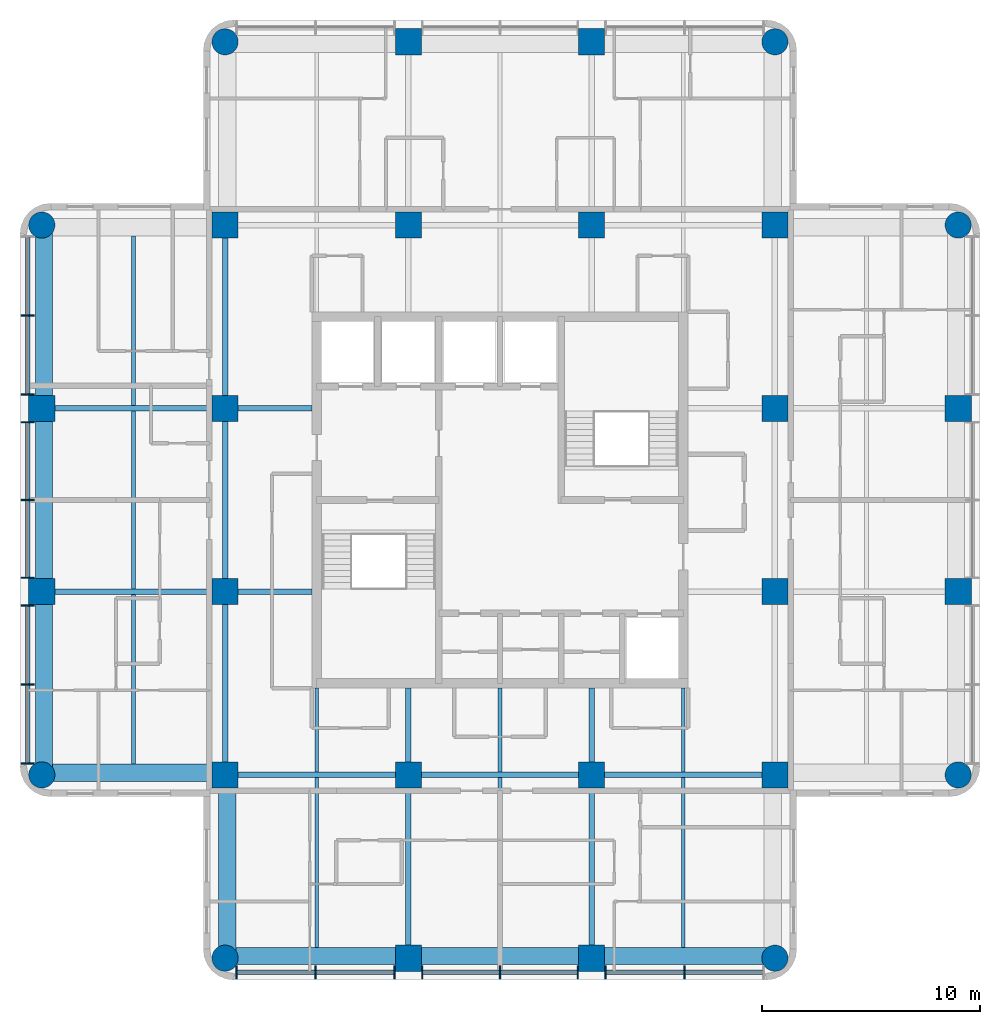
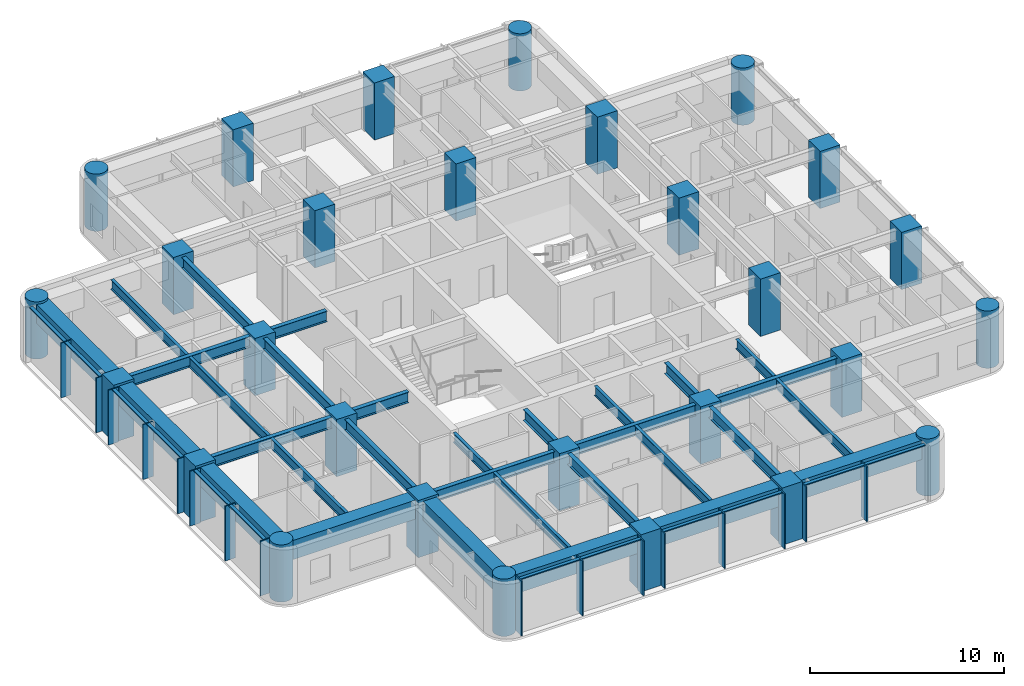
# One storey, part 1 of 10: 31 beams, 28 columns, 28 members, 2 elements without a shape of their own.
"""IFC4 building model written with IfcOpenShell, lengths in metres."""

from ifc_helpers import new_model, si_unit, direction, frame, origin, origin_2d, place, context, subcontext, project, spatial, rectangle, circle, i_section, extrude, material, material_profile, profile_set, type_object, element, aggregate, save


model = new_model("IFC4")

# Units and contexts
model_context = context("Model", 3, precision=1e-05, world=origin(), true_north=direction((0.0, 1.0)))
body_context = subcontext(model_context, "Body", "Model", "MODEL_VIEW")
ifc_project = project(units=[si_unit("LENGTHUNIT", "METRE"), si_unit("AREAUNIT", "SQUARE_METRE"), si_unit("VOLUMEUNIT", "CUBIC_METRE"), si_unit("PLANEANGLEUNIT", "RADIAN"), si_unit("MASSUNIT", "GRAM", prefix="KILO")], contexts=[model_context])

# Site, building, storey
site_placement = place(None, origin())
site = spatial("IfcSite", under=ifc_project, at=site_placement, CompositionType="ELEMENT")
building_placement = place(site_placement, origin())
building = spatial("IfcBuilding", under=site, at=building_placement, Name="Torre Alcanfor", CompositionType="ELEMENT")
storey_placement = place(building_placement, frame((0.0, 0.0, 290.10009765625)))
storey = spatial("IfcBuildingStorey", under=building, at=storey_placement, Name="L76", CompositionType="ELEMENT", Elevation=290.10009765625)

# Columns
ifc_material_1 = material(Name="Concrete f'c 70 MPa", Category="concrete")
ifc_material_profile_1 = material_profile(ifc_material_1, rectangle(XDim=1.199951171875, YDim=1.199951171875, at=origin_2d()), Name="1200x1200")
ifc_profile_set_1 = profile_set([ifc_material_profile_1], Name="Concrete f'c 70 MPa")
column_type_1 = type_object("IfcColumnType", Name="RC column 1200x1200 f'c70", PredefinedType="COLUMN", material=ifc_profile_set_1)
for number, where, z_axis, x_axis, name in (
    (1, (8.39990234375, 25.199951171875, 0.0), (0.0, 0.0, 1.0), (1.0, 0.0, 0.0), "Column 2/F L76"),
    (2, (8.39990234375, 33.60009765625, 0.0), (0.0, 0.0, 1.0), (1.0, 0.0, 0.0), "Column 2/G L76"),
    (3, (16.800048828125, 16.800048828125, 0.0), (0.0, 0.0, 1.0), (1.0, 0.0, 0.0), "Column 3/E L76"),
    (4, (16.800048828125, 25.199951171875, 0.0), (0.0, 0.0, 1.0), (1.0, 0.0, 0.0), "Column 3/F L76"),
    (5, (16.800048828125, 33.60009765625, 0.0), (0.0, 0.0, 1.0), (1.0, 0.0, 0.0), "Column 3/G L76"),
    (6, (16.800048828125, 42.0, 0.0), (0.0, 0.0, 1.0), (1.0, 0.0, 0.0), "Column 3/H L76"),
    (7, (25.199951171875, 8.39990234375, 0.0), (0.0, 0.0, 1.0), (1.0, 0.0, 0.0), "Column 4/D L76"),
    (8, (25.199951171875, 16.800048828125, 0.0), (0.0, 0.0, 1.0), (1.0, 0.0, 0.0), "Column 4/E L76"),
    (9, (25.199951171875, 42.0, 0.0), (0.0, 0.0, 1.0), (1.0, 0.0, 0.0), "Column 4/H L76"),
    (10, (25.199951171875, 50.39990234375, 0.0), (0.0, 0.0, 1.0), (1.0, 0.0, 0.0), "Column 4/J L76"),
    (11, (33.60009765625, 8.39990234375, 0.0), (0.0, 0.0, 1.0), (1.0, 0.0, 0.0), "Column 5/D L76"),
    (12, (33.60009765625, 16.800048828125, 0.0), (0.0, 0.0, 1.0), (1.0, 0.0, 0.0), "Column 5/E L76"),
    (13, (33.60009765625, 42.0, 0.0), (0.0, 0.0, 1.0), (1.0, 0.0, 0.0), "Column 5/H L76"),
    (14, (33.60009765625, 50.39990234375, 0.0), (0.0, 0.0, 1.0), (1.0, 0.0, 0.0), "Column 5/J L76"),
    (15, (42.0, 16.800048828125, 0.0), (0.0, 0.0, 1.0), (1.0, 0.0, 0.0), "Column 6/E L76"),
    (16, (42.0, 25.199951171875, 0.0), (0.0, 0.0, 1.0), (1.0, 0.0, 0.0), "Column 6/F L76"),
    (17, (42.0, 33.60009765625, 0.0), (0.0, 0.0, 1.0), (1.0, 0.0, 0.0), "Column 6/G L76"),
    (18, (42.0, 42.0, 0.0), (0.0, 0.0, 1.0), (1.0, 0.0, 0.0), "Column 6/H L76"),
    (19, (50.39990234375, 25.199951171875, 0.0), (0.0, 0.0, 1.0), (1.0, 0.0, 0.0), "Column 7/F L76"),
    (20, (50.39990234375, 33.60009765625, 0.0), (0.0, 0.0, 1.0), (1.0, 0.0, 0.0), "Column 7/G L76"),
):
    element("IfcColumn", number, at=place(storey_placement, frame(where, z_axis=z_axis, x_axis=x_axis)), inside=storey, type_object=column_type_1, Name=name, PredefinedType="COLUMN", context=body_context, shape_type="SweptSolid", body=[
        extrude(rectangle(XDim=1.199951171875, YDim=1.199951171875, at=origin_2d()), origin(), (0.0, 0.0, 1.0), 3.599853515625),
    ])
ifc_material_2 = material(Name="Concrete f'c 70 MPa", Category="concrete")
ifc_material_profile_2 = material_profile(ifc_material_2, circle(Radius=0.60009765625, at=origin_2d()), Name="D1200")
ifc_profile_set_2 = profile_set([ifc_material_profile_2], Name="Concrete f'c 70 MPa")
column_type_2 = type_object("IfcColumnType", Name="RC column D1200 f'c70", PredefinedType="COLUMN", material=ifc_profile_set_2)
for number, where, z_axis, x_axis, name in (
    (21, (8.39990234375, 16.800048828125, 0.0), (0.0, 0.0, 1.0), (1.0, 0.0, 0.0), "Column 2/E L76"),
    (22, (8.39990234375, 42.0, 0.0), (0.0, 0.0, 1.0), (1.0, 0.0, 0.0), "Column 2/H L76"),
    (23, (16.800048828125, 8.39990234375, 0.0), (0.0, 0.0, 1.0), (1.0, 0.0, 0.0), "Column 3/D L76"),
    (24, (16.800048828125, 50.39990234375, 0.0), (0.0, 0.0, 1.0), (1.0, 0.0, 0.0), "Column 3/J L76"),
    (25, (42.0, 8.39990234375, 0.0), (0.0, 0.0, 1.0), (1.0, 0.0, 0.0), "Column 6/D L76"),
    (26, (42.0, 50.39990234375, 0.0), (0.0, 0.0, 1.0), (1.0, 0.0, 0.0), "Column 6/J L76"),
    (27, (50.39990234375, 16.800048828125, 0.0), (0.0, 0.0, 1.0), (1.0, 0.0, 0.0), "Column 7/E L76"),
    (28, (50.39990234375, 42.0, 0.0), (0.0, 0.0, 1.0), (1.0, 0.0, 0.0), "Column 7/H L76"),
):
    element("IfcColumn", number, at=place(storey_placement, frame(where, z_axis=z_axis, x_axis=x_axis)), inside=storey, type_object=column_type_2, Name=name, PredefinedType="COLUMN", context=body_context, shape_type="SweptSolid", body=[
        extrude(circle(Radius=0.60009765625, at=origin_2d()), origin(), (0.0, 0.0, 1.0), 3.599853515625),
    ])

# Curtain wall, members
ifc_material_3 = material(Name="Aluminium and glass", Category="aluminium")
curtain_wall_type = type_object("IfcCurtainWallType", Name="CW-A unitised apartment glazing with vertical FIN", PredefinedType="NOTDEFINED", material=ifc_material_3)
curtain_wall_1_placement = place(storey_placement, origin())
curtain_wall_1 = element("IfcCurtainWall", 29, at=curtain_wall_1_placement, inside=storey, type_object=curtain_wall_type, Name="Curtain wall CW-A L76 2", PredefinedType="NOTDEFINED")
ifc_material_4 = material(Name="Bronze anodised aluminium", Category="aluminium")
ifc_material_profile_3 = material_profile(ifc_material_4, rectangle(XDim=0.60009765625, YDim=0.06494140625, at=origin_2d()), Name="CW-A mullion 65x600")
ifc_profile_set_3 = profile_set([ifc_material_profile_3], Name="Bronze anodised aluminium")
member_type_1 = type_object("IfcMemberType", Name="CW-A mullion with vertical FIN 65x600", PredefinedType="MULLION", material=ifc_profile_set_3)
member_1_placement = place(storey_placement, frame((7.75, 37.855712890625, 0.0), z_axis=(0.0, 0.0, 1.0), x_axis=(1.0, 0.0, 0.0)))
member_1 = element("IfcMember", 30, at=member_1_placement, type_object=member_type_1, Name="CW-A mullion 1.2", PredefinedType="MULLION", context=body_context, shape_type="SweptSolid", body=[
    extrude(rectangle(XDim=0.60009765625, YDim=0.06494140625, at=origin_2d()), origin(), (0.0, 0.0, 1.0), 3.449951171875),
])
member_2_placement = place(storey_placement, frame((7.75, 34.237548828125, 0.0), z_axis=(0.0, 0.0, 1.0), x_axis=(1.0, 0.0, 0.0)))
member_2 = element("IfcMember", 31, at=member_2_placement, type_object=member_type_1, Name="CW-A mullion 1.3", PredefinedType="MULLION", context=body_context, shape_type="SweptSolid", body=[
    extrude(rectangle(XDim=0.60009765625, YDim=0.06494140625, at=origin_2d()), origin(), (0.0, 0.0, 1.0), 3.449951171875),
])
member_3_placement = place(storey_placement, frame((7.75, 32.96240234375, 0.0), z_axis=(0.0, 0.0, 1.0), x_axis=(1.0, 0.0, 0.0)))
member_3 = element("IfcMember", 32, at=member_3_placement, type_object=member_type_1, Name="CW-A mullion 2.1", PredefinedType="MULLION", context=body_context, shape_type="SweptSolid", body=[
    extrude(rectangle(XDim=0.60009765625, YDim=0.06494140625, at=origin_2d()), origin(), (0.0, 0.0, 1.0), 3.449951171875),
])
member_4_placement = place(storey_placement, frame((7.75, 29.39990234375, 0.0), z_axis=(0.0, 0.0, 1.0), x_axis=(1.0, 0.0, 0.0)))
member_4 = element("IfcMember", 33, at=member_4_placement, type_object=member_type_1, Name="CW-A mullion 2.2", PredefinedType="MULLION", context=body_context, shape_type="SweptSolid", body=[
    extrude(rectangle(XDim=0.60009765625, YDim=0.06494140625, at=origin_2d()), origin(), (0.0, 0.0, 1.0), 3.449951171875),
])
member_5_placement = place(storey_placement, frame((7.75, 25.83740234375, 0.0), z_axis=(0.0, 0.0, 1.0), x_axis=(1.0, 0.0, 0.0)))
member_5 = element("IfcMember", 34, at=member_5_placement, type_object=member_type_1, Name="CW-A mullion 2.3", PredefinedType="MULLION", context=body_context, shape_type="SweptSolid", body=[
    extrude(rectangle(XDim=0.60009765625, YDim=0.06494140625, at=origin_2d()), origin(), (0.0, 0.0, 1.0), 3.449951171875),
])
member_6_placement = place(storey_placement, frame((7.75, 24.5625, 0.0), z_axis=(0.0, 0.0, 1.0), x_axis=(1.0, 0.0, 0.0)))
member_6 = element("IfcMember", 35, at=member_6_placement, type_object=member_type_1, Name="CW-A mullion 3.1", PredefinedType="MULLION", context=body_context, shape_type="SweptSolid", body=[
    extrude(rectangle(XDim=0.60009765625, YDim=0.06494140625, at=origin_2d()), origin(), (0.0, 0.0, 1.0), 3.449951171875),
])
member_7_placement = place(storey_placement, frame((7.75, 20.9443359375, 0.0), z_axis=(0.0, 0.0, 1.0), x_axis=(1.0, 0.0, 0.0)))
member_7 = element("IfcMember", 36, at=member_7_placement, type_object=member_type_1, Name="CW-A mullion 3.2", PredefinedType="MULLION", context=body_context, shape_type="SweptSolid", body=[
    extrude(rectangle(XDim=0.60009765625, YDim=0.06494140625, at=origin_2d()), origin(), (0.0, 0.0, 1.0), 3.449951171875),
])
member_8_placement = place(storey_placement, frame((7.75, 17.325927734375, 0.0), z_axis=(0.0, 0.0, 1.0), x_axis=(1.0, 0.0, 0.0)))
member_8 = element("IfcMember", 37, at=member_8_placement, type_object=member_type_1, Name="CW-A mullion 3.3", PredefinedType="MULLION", context=body_context, shape_type="SweptSolid", body=[
    extrude(rectangle(XDim=0.60009765625, YDim=0.06494140625, at=origin_2d()), origin(), (0.0, 0.0, 1.0), 3.449951171875),
])

curtain_wall_2_placement = place(storey_placement, origin())
curtain_wall_2 = element("IfcCurtainWall", 38, at=curtain_wall_2_placement, inside=storey, type_object=curtain_wall_type, Name="Curtain wall CW-A L76 5", PredefinedType="NOTDEFINED")
member_9_placement = place(storey_placement, frame((17.325927734375, 7.75, 0.0), z_axis=(0.0, 0.0, 1.0), x_axis=(0.0, 1.0, 0.0)))
member_9 = element("IfcMember", 39, at=member_9_placement, type_object=member_type_1, Name="CW-A mullion 1.1", PredefinedType="MULLION", context=body_context, shape_type="SweptSolid", body=[
    extrude(rectangle(XDim=0.60009765625, YDim=0.06494140625, at=origin_2d()), origin(), (0.0, 0.0, 1.0), 3.449951171875),
])
member_10_placement = place(storey_placement, frame((20.9443359375, 7.75, 0.0), z_axis=(0.0, 0.0, 1.0), x_axis=(0.0, 1.0, 0.0)))
member_10 = element("IfcMember", 40, at=member_10_placement, type_object=member_type_1, Name="CW-A mullion 1.2", PredefinedType="MULLION", context=body_context, shape_type="SweptSolid", body=[
    extrude(rectangle(XDim=0.60009765625, YDim=0.06494140625, at=origin_2d()), origin(), (0.0, 0.0, 1.0), 3.449951171875),
])
member_11_placement = place(storey_placement, frame((24.5625, 7.75, 0.0), z_axis=(0.0, 0.0, 1.0), x_axis=(0.0, 1.0, 0.0)))
member_11 = element("IfcMember", 41, at=member_11_placement, type_object=member_type_1, Name="CW-A mullion 1.3", PredefinedType="MULLION", context=body_context, shape_type="SweptSolid", body=[
    extrude(rectangle(XDim=0.60009765625, YDim=0.06494140625, at=origin_2d()), origin(), (0.0, 0.0, 1.0), 3.449951171875),
])
member_12_placement = place(storey_placement, frame((25.83740234375, 7.75, 0.0), z_axis=(0.0, 0.0, 1.0), x_axis=(0.0, 1.0, 0.0)))
member_12 = element("IfcMember", 42, at=member_12_placement, type_object=member_type_1, Name="CW-A mullion 2.1", PredefinedType="MULLION", context=body_context, shape_type="SweptSolid", body=[
    extrude(rectangle(XDim=0.60009765625, YDim=0.06494140625, at=origin_2d()), origin(), (0.0, 0.0, 1.0), 3.449951171875),
])
member_13_placement = place(storey_placement, frame((29.39990234375, 7.75, 0.0), z_axis=(0.0, 0.0, 1.0), x_axis=(0.0, 1.0, 0.0)))
member_13 = element("IfcMember", 43, at=member_13_placement, type_object=member_type_1, Name="CW-A mullion 2.2", PredefinedType="MULLION", context=body_context, shape_type="SweptSolid", body=[
    extrude(rectangle(XDim=0.60009765625, YDim=0.06494140625, at=origin_2d()), origin(), (0.0, 0.0, 1.0), 3.449951171875),
])
member_14_placement = place(storey_placement, frame((32.96240234375, 7.75, 0.0), z_axis=(0.0, 0.0, 1.0), x_axis=(0.0, 1.0, 0.0)))
member_14 = element("IfcMember", 44, at=member_14_placement, type_object=member_type_1, Name="CW-A mullion 2.3", PredefinedType="MULLION", context=body_context, shape_type="SweptSolid", body=[
    extrude(rectangle(XDim=0.60009765625, YDim=0.06494140625, at=origin_2d()), origin(), (0.0, 0.0, 1.0), 3.449951171875),
])
member_15_placement = place(storey_placement, frame((34.237548828125, 7.75, 0.0), z_axis=(0.0, 0.0, 1.0), x_axis=(0.0, 1.0, 0.0)))
member_15 = element("IfcMember", 45, at=member_15_placement, type_object=member_type_1, Name="CW-A mullion 3.1", PredefinedType="MULLION", context=body_context, shape_type="SweptSolid", body=[
    extrude(rectangle(XDim=0.60009765625, YDim=0.06494140625, at=origin_2d()), origin(), (0.0, 0.0, 1.0), 3.449951171875),
])
member_16_placement = place(storey_placement, frame((37.855712890625, 7.75, 0.0), z_axis=(0.0, 0.0, 1.0), x_axis=(0.0, 1.0, 0.0)))
member_16 = element("IfcMember", 46, at=member_16_placement, type_object=member_type_1, Name="CW-A mullion 3.2", PredefinedType="MULLION", context=body_context, shape_type="SweptSolid", body=[
    extrude(rectangle(XDim=0.60009765625, YDim=0.06494140625, at=origin_2d()), origin(), (0.0, 0.0, 1.0), 3.449951171875),
])

# Member
ifc_material_5 = material(Name="Extruded aluminium", Category="aluminium")
ifc_material_profile_4 = material_profile(ifc_material_5, rectangle(XDim=0.199951171875, YDim=0.06494140625, at=origin_2d()), Name="CW-A transom 200x65")
ifc_profile_set_4 = profile_set([ifc_material_profile_4], Name="Extruded aluminium")
member_type_2 = type_object("IfcMemberType", Name="CW-A transom 65x200", PredefinedType="USERDEFINED", material=ifc_profile_set_4)
member_17_placement = place(storey_placement, frame((7.75, 41.44140625, 3.41748046875), z_axis=(0.0, -1.0, 0.0), x_axis=(1.0, 0.0, 0.0)))
member_17 = element("IfcMember", 47, at=member_17_placement, type_object=member_type_2, Name="CW-A transom 1.1.2", ObjectType="TRANSOM", PredefinedType="USERDEFINED", context=body_context, shape_type="SweptSolid", body=[
    extrude(rectangle(XDim=0.199951171875, YDim=0.06494140625, at=origin_2d()), origin(), (0.0, 0.0, 1.0), 3.55322265625),
])

member_18_placement = place(storey_placement, frame((7.75, 37.8232421875, 3.41748046875), z_axis=(0.0, -1.0, 0.0), x_axis=(1.0, 0.0, 0.0)))
member_18 = element("IfcMember", 48, at=member_18_placement, type_object=member_type_2, Name="CW-A transom 1.2.2", ObjectType="TRANSOM", PredefinedType="USERDEFINED", context=body_context, shape_type="SweptSolid", body=[
    extrude(rectangle(XDim=0.199951171875, YDim=0.06494140625, at=origin_2d()), origin(), (0.0, 0.0, 1.0), 3.55322265625),
])

member_19_placement = place(storey_placement, frame((7.75, 32.929931640625, 3.41748046875), z_axis=(0.0, -1.0, 0.0), x_axis=(1.0, 0.0, 0.0)))
member_19 = element("IfcMember", 49, at=member_19_placement, type_object=member_type_2, Name="CW-A transom 2.1.2", ObjectType="TRANSOM", PredefinedType="USERDEFINED", context=body_context, shape_type="SweptSolid", body=[
    extrude(rectangle(XDim=0.199951171875, YDim=0.06494140625, at=origin_2d()), origin(), (0.0, 0.0, 1.0), 3.497314453125),
])

member_20_placement = place(storey_placement, frame((7.75, 29.367431640625, 3.41748046875), z_axis=(0.0, -1.0, 0.0), x_axis=(1.0, 0.0, 0.0)))
member_20 = element("IfcMember", 50, at=member_20_placement, type_object=member_type_2, Name="CW-A transom 2.2.2", ObjectType="TRANSOM", PredefinedType="USERDEFINED", context=body_context, shape_type="SweptSolid", body=[
    extrude(rectangle(XDim=0.199951171875, YDim=0.06494140625, at=origin_2d()), origin(), (0.0, 0.0, 1.0), 3.497314453125),
])

member_21_placement = place(storey_placement, frame((7.75, 24.530029296875, 3.41748046875), z_axis=(0.0, -1.0, 0.0), x_axis=(1.0, 0.0, 0.0)))
member_21 = element("IfcMember", 51, at=member_21_placement, type_object=member_type_2, Name="CW-A transom 3.1.2", ObjectType="TRANSOM", PredefinedType="USERDEFINED", context=body_context, shape_type="SweptSolid", body=[
    extrude(rectangle(XDim=0.199951171875, YDim=0.06494140625, at=origin_2d()), origin(), (0.0, 0.0, 1.0), 3.55322265625),
])

member_22_placement = place(storey_placement, frame((7.75, 20.911865234375, 3.41748046875), z_axis=(0.0, -1.0, 0.0), x_axis=(1.0, 0.0, 0.0)))
member_22 = element("IfcMember", 52, at=member_22_placement, type_object=member_type_2, Name="CW-A transom 3.2.2", ObjectType="TRANSOM", PredefinedType="USERDEFINED", context=body_context, shape_type="SweptSolid", body=[
    extrude(rectangle(XDim=0.199951171875, YDim=0.06494140625, at=origin_2d()), origin(), (0.0, 0.0, 1.0), 3.553466796875),
])

aggregate(curtain_wall_1, [member_1, member_2, member_17, member_18, member_3, member_4, member_5, member_19, member_20, member_6, member_7, member_8, member_21, member_22])

member_23_placement = place(storey_placement, frame((17.3583984375, 7.75, 3.41748046875), z_axis=(1.0, 0.0, 0.0), x_axis=(0.0, 1.0, 0.0)))
member_23 = element("IfcMember", 53, at=member_23_placement, type_object=member_type_2, Name="CW-A transom 1.1.2", ObjectType="TRANSOM", PredefinedType="USERDEFINED", context=body_context, shape_type="SweptSolid", body=[
    extrude(rectangle(XDim=0.199951171875, YDim=0.06494140625, at=origin_2d()), origin(), (0.0, 0.0, 1.0), 3.553466796875),
])

member_24_placement = place(storey_placement, frame((20.976806640625, 7.75, 3.41748046875), z_axis=(1.0, 0.0, 0.0), x_axis=(0.0, 1.0, 0.0)))
member_24 = element("IfcMember", 54, at=member_24_placement, type_object=member_type_2, Name="CW-A transom 1.2.2", ObjectType="TRANSOM", PredefinedType="USERDEFINED", context=body_context, shape_type="SweptSolid", body=[
    extrude(rectangle(XDim=0.199951171875, YDim=0.06494140625, at=origin_2d()), origin(), (0.0, 0.0, 1.0), 3.55322265625),
])

member_25_placement = place(storey_placement, frame((25.8701171875, 7.75, 3.41748046875), z_axis=(1.0, 0.0, 0.0), x_axis=(0.0, 1.0, 0.0)))
member_25 = element("IfcMember", 55, at=member_25_placement, type_object=member_type_2, Name="CW-A transom 2.1.2", ObjectType="TRANSOM", PredefinedType="USERDEFINED", context=body_context, shape_type="SweptSolid", body=[
    extrude(rectangle(XDim=0.199951171875, YDim=0.06494140625, at=origin_2d()), origin(), (0.0, 0.0, 1.0), 3.497314453125),
])

member_26_placement = place(storey_placement, frame((29.4326171875, 7.75, 3.41748046875), z_axis=(1.0, 0.0, 0.0), x_axis=(0.0, 1.0, 0.0)))
member_26 = element("IfcMember", 56, at=member_26_placement, type_object=member_type_2, Name="CW-A transom 2.2.2", ObjectType="TRANSOM", PredefinedType="USERDEFINED", context=body_context, shape_type="SweptSolid", body=[
    extrude(rectangle(XDim=0.199951171875, YDim=0.06494140625, at=origin_2d()), origin(), (0.0, 0.0, 1.0), 3.497314453125),
])

member_27_placement = place(storey_placement, frame((34.27001953125, 7.75, 3.41748046875), z_axis=(1.0, 0.0, 0.0), x_axis=(0.0, 1.0, 0.0)))
member_27 = element("IfcMember", 57, at=member_27_placement, type_object=member_type_2, Name="CW-A transom 3.1.2", ObjectType="TRANSOM", PredefinedType="USERDEFINED", context=body_context, shape_type="SweptSolid", body=[
    extrude(rectangle(XDim=0.199951171875, YDim=0.06494140625, at=origin_2d()), origin(), (0.0, 0.0, 1.0), 3.55322265625),
])

member_28_placement = place(storey_placement, frame((37.88818359375, 7.75, 3.41748046875), z_axis=(1.0, 0.0, 0.0), x_axis=(0.0, 1.0, 0.0)))
member_28 = element("IfcMember", 58, at=member_28_placement, type_object=member_type_2, Name="CW-A transom 3.2.2", ObjectType="TRANSOM", PredefinedType="USERDEFINED", context=body_context, shape_type="SweptSolid", body=[
    extrude(rectangle(XDim=0.199951171875, YDim=0.06494140625, at=origin_2d()), origin(), (0.0, 0.0, 1.0), 3.55322265625),
])

aggregate(curtain_wall_2, [member_9, member_10, member_11, member_23, member_24, member_12, member_13, member_14, member_25, member_26, member_15, member_16, member_27, member_28])

# Beams
ifc_material_6 = material(Name="Steel ASTM A992 Grade 50", Category="steel")
ifc_material_profile_5 = material_profile(ifc_material_6, i_section(OverallWidth=0.25390625, OverallDepth=0.683349609375, WebThickness=0.012451171875, FlangeThickness=0.01904296875, at=origin_2d()), Name="W27x94")
ifc_profile_set_5 = profile_set([ifc_material_profile_5], Name="Steel ASTM A992 Grade 50")
beam_type_1 = type_object("IfcBeamType", Name="Girder W27x94", PredefinedType="BEAM", material=ifc_profile_set_5)
beam_1_placement = place(storey_placement, frame((16.800048828125, 16.800048828125, 3.108154296875), z_axis=(1.0, 0.0, 0.0), x_axis=(0.0, 1.0, 0.0)))
element("IfcBeam", 59, at=beam_1_placement, inside=storey, type_object=beam_type_1, Name="Beam 3E-4E under L77", PredefinedType="BEAM", context=body_context, shape_type="SweptSolid", body=[
    extrude(i_section(OverallWidth=0.25390625, OverallDepth=0.683349609375, WebThickness=0.012451171875, FlangeThickness=0.01904296875, at=origin_2d()), origin(), (0.0, 0.0, 1.0), 8.39990234375),
])
beam_2_placement = place(storey_placement, frame((25.199951171875, 16.800048828125, 3.108154296875), z_axis=(1.0, 0.0, 0.0), x_axis=(0.0, 1.0, 0.0)))
element("IfcBeam", 60, at=beam_2_placement, inside=storey, type_object=beam_type_1, Name="Beam 4E-5E under L77", PredefinedType="BEAM", context=body_context, shape_type="SweptSolid", body=[
    extrude(i_section(OverallWidth=0.25390625, OverallDepth=0.683349609375, WebThickness=0.012451171875, FlangeThickness=0.01904296875, at=origin_2d()), origin(), (0.0, 0.0, 1.0), 8.400146484375),
])
beam_3_placement = place(storey_placement, frame((33.60009765625, 16.800048828125, 3.108154296875), z_axis=(1.0, 0.0, 0.0), x_axis=(0.0, 1.0, 0.0)))
element("IfcBeam", 61, at=beam_3_placement, inside=storey, type_object=beam_type_1, Name="Beam 5E-6E under L77", PredefinedType="BEAM", context=body_context, shape_type="SweptSolid", body=[
    extrude(i_section(OverallWidth=0.25390625, OverallDepth=0.683349609375, WebThickness=0.012451171875, FlangeThickness=0.01904296875, at=origin_2d()), origin(), (0.0, 0.0, 1.0), 8.39990234375),
])
for number, where, z_axis, x_axis, name in (
    (62, (8.39990234375, 25.199951171875, 3.108154296875), (1.0, 0.0, 0.0), (0.0, 1.0, 0.0), "Beam 2F-3F under L77"),
    (63, (8.39990234375, 33.60009765625, 3.108154296875), (1.0, 0.0, 0.0), (0.0, 1.0, 0.0), "Beam 2G-3G under L77"),
):
    element("IfcBeam", number, at=place(storey_placement, frame(where, z_axis=z_axis, x_axis=x_axis)), inside=storey, type_object=beam_type_1, Name=name, PredefinedType="BEAM", context=body_context, shape_type="SweptSolid", body=[
        extrude(i_section(OverallWidth=0.25390625, OverallDepth=0.683349609375, WebThickness=0.012451171875, FlangeThickness=0.01904296875, at=origin_2d()), origin(), (0.0, 0.0, 1.0), 8.400146484375),
    ])
beam_4_placement = place(storey_placement, frame((16.800048828125, 16.800048828125, 3.108154296875), z_axis=(0.0, 1.0, 0.0), x_axis=(-1.0, 0.0, 0.0)))
element("IfcBeam", 64, at=beam_4_placement, inside=storey, type_object=beam_type_1, Name="Beam 3E-3F under L77", PredefinedType="BEAM", context=body_context, shape_type="SweptSolid", body=[
    extrude(i_section(OverallWidth=0.25390625, OverallDepth=0.683349609375, WebThickness=0.012451171875, FlangeThickness=0.01904296875, at=origin_2d()), origin(), (0.0, 0.0, 1.0), 8.39990234375),
])
beam_5_placement = place(storey_placement, frame((16.800048828125, 25.199951171875, 3.108154296875), z_axis=(0.0, 1.0, 0.0), x_axis=(-1.0, 0.0, 0.0)))
element("IfcBeam", 65, at=beam_5_placement, inside=storey, type_object=beam_type_1, Name="Beam 3F-3G under L77", PredefinedType="BEAM", context=body_context, shape_type="SweptSolid", body=[
    extrude(i_section(OverallWidth=0.25390625, OverallDepth=0.683349609375, WebThickness=0.012451171875, FlangeThickness=0.01904296875, at=origin_2d()), origin(), (0.0, 0.0, 1.0), 8.400146484375),
])
beam_6_placement = place(storey_placement, frame((16.800048828125, 33.60009765625, 3.108154296875), z_axis=(0.0, 1.0, 0.0), x_axis=(-1.0, 0.0, 0.0)))
element("IfcBeam", 66, at=beam_6_placement, inside=storey, type_object=beam_type_1, Name="Beam 3G-3H under L77", PredefinedType="BEAM", context=body_context, shape_type="SweptSolid", body=[
    extrude(i_section(OverallWidth=0.25390625, OverallDepth=0.683349609375, WebThickness=0.012451171875, FlangeThickness=0.01904296875, at=origin_2d()), origin(), (0.0, 0.0, 1.0), 8.39990234375),
])
for number, where, z_axis, x_axis, name in (
    (67, (25.199951171875, 8.39990234375, 3.108154296875), (0.0, 1.0, 0.0), (-1.0, 0.0, 0.0), "Beam 4D-4E under L77"),
    (68, (33.60009765625, 8.39990234375, 3.108154296875), (0.0, 1.0, 0.0), (-1.0, 0.0, 0.0), "Beam 5D-5E under L77"),
):
    element("IfcBeam", number, at=place(storey_placement, frame(where, z_axis=z_axis, x_axis=x_axis)), inside=storey, type_object=beam_type_1, Name=name, PredefinedType="BEAM", context=body_context, shape_type="SweptSolid", body=[
        extrude(i_section(OverallWidth=0.25390625, OverallDepth=0.683349609375, WebThickness=0.012451171875, FlangeThickness=0.01904296875, at=origin_2d()), origin(), (0.0, 0.0, 1.0), 8.400146484375),
    ])
ifc_material_7 = material(Name="Steel ASTM A992 Grade 50", Category="steel")
ifc_material_profile_6 = material_profile(ifc_material_7, i_section(OverallWidth=0.25390625, OverallDepth=0.683349609375, WebThickness=0.012451171875, FlangeThickness=0.01904296875, at=origin_2d()), Name="W27x94")
ifc_profile_set_6 = profile_set([ifc_material_profile_6], Name="Steel ASTM A992 Grade 50")
beam_type_2 = type_object("IfcBeamType", Name="Girder, part bay W27x94", PredefinedType="BEAM", material=ifc_profile_set_6)
for number, where, z_axis, x_axis, name in (
    (69, (25.199951171875, 16.800048828125, 3.108154296875), (0.0, 1.0, 0.0), (-1.0, 0.0, 0.0), "Beam 4E-420_775 under L77"),
    (70, (33.60009765625, 16.800048828125, 3.108154296875), (0.0, 1.0, 0.0), (-1.0, 0.0, 0.0), "Beam 5E-520_775 under L77"),
    (71, (16.800048828125, 25.199951171875, 3.108154296875), (1.0, 0.0, 0.0), (0.0, 1.0, 0.0), "Beam 3F-20_775F under L77"),
    (72, (16.800048828125, 33.60009765625, 3.108154296875), (1.0, 0.0, 0.0), (0.0, 1.0, 0.0), "Beam 3G-20_775G under L77"),
):
    element("IfcBeam", number, at=place(storey_placement, frame(where, z_axis=z_axis, x_axis=x_axis)), inside=storey, type_object=beam_type_2, Name=name, PredefinedType="BEAM", context=body_context, shape_type="SweptSolid", body=[
        extrude(i_section(OverallWidth=0.25390625, OverallDepth=0.683349609375, WebThickness=0.012451171875, FlangeThickness=0.01904296875, at=origin_2d()), origin(), (0.0, 0.0, 1.0), 3.974853515625),
    ])
ifc_material_8 = material(Name="Concrete f'c 70 MPa", Category="concrete")
ifc_material_profile_7 = material_profile(ifc_material_8, rectangle(XDim=0.800048828125, YDim=1.199951171875, at=origin_2d()), Name="800x1200")
ifc_profile_set_7 = profile_set([ifc_material_profile_7], Name="Concrete f'c 70 MPa")
beam_type_3 = type_object("IfcBeamType", Name="RC perimeter beam 800x1200", PredefinedType="BEAM", material=ifc_profile_set_7)
beam_7_placement = place(storey_placement, frame((16.800048828125, 8.5, 2.849853515625), z_axis=(1.0, 0.0, 0.0), x_axis=(0.0, 1.0, 0.0)))
element("IfcBeam", 73, at=beam_7_placement, inside=storey, type_object=beam_type_3, Name="Beam 3D-4D under L77", PredefinedType="BEAM", context=body_context, shape_type="SweptSolid", body=[
    extrude(rectangle(XDim=0.800048828125, YDim=1.199951171875, at=origin_2d()), origin(), (0.0, 0.0, 1.0), 8.27294921875),
])
beam_8_placement = place(storey_placement, frame((25.326904296875, 8.5, 2.849853515625), z_axis=(1.0, 0.0, 0.0), x_axis=(0.0, 1.0, 0.0)))
element("IfcBeam", 74, at=beam_8_placement, inside=storey, type_object=beam_type_3, Name="Beam 4D-5D under L77", PredefinedType="BEAM", context=body_context, shape_type="SweptSolid", body=[
    extrude(rectangle(XDim=0.800048828125, YDim=1.199951171875, at=origin_2d()), origin(), (0.0, 0.0, 1.0), 8.14599609375),
])
beam_9_placement = place(storey_placement, frame((33.72705078125, 8.5, 2.849853515625), z_axis=(1.0, 0.0, 0.0), x_axis=(0.0, 1.0, 0.0)))
element("IfcBeam", 75, at=beam_9_placement, inside=storey, type_object=beam_type_3, Name="Beam 5D-6D under L77", PredefinedType="BEAM", context=body_context, shape_type="SweptSolid", body=[
    extrude(rectangle(XDim=0.800048828125, YDim=1.199951171875, at=origin_2d()), origin(), (0.0, 0.0, 1.0), 8.27294921875),
])
beam_10_placement = place(storey_placement, frame((8.39990234375, 16.89990234375, 2.849853515625), z_axis=(1.0, 0.0, 0.0), x_axis=(0.0, 1.0, 0.0)))
element("IfcBeam", 76, at=beam_10_placement, inside=storey, type_object=beam_type_3, Name="Beam 2E-3E under L77", PredefinedType="BEAM", context=body_context, shape_type="SweptSolid", body=[
    extrude(rectangle(XDim=0.800048828125, YDim=1.199951171875, at=origin_2d()), origin(), (0.0, 0.0, 1.0), 8.273193359375),
])
beam_11_placement = place(storey_placement, frame((8.5, 16.800048828125, 2.849853515625), z_axis=(0.0, 1.0, 0.0), x_axis=(-1.0, 0.0, 0.0)))
element("IfcBeam", 77, at=beam_11_placement, inside=storey, type_object=beam_type_3, Name="Beam 2E-2F under L77", PredefinedType="BEAM", context=body_context, shape_type="SweptSolid", body=[
    extrude(rectangle(XDim=0.800048828125, YDim=1.199951171875, at=origin_2d()), origin(), (0.0, 0.0, 1.0), 8.27294921875),
])
beam_12_placement = place(storey_placement, frame((8.5, 25.326904296875, 2.849853515625), z_axis=(0.0, 1.0, 0.0), x_axis=(-1.0, 0.0, 0.0)))
element("IfcBeam", 78, at=beam_12_placement, inside=storey, type_object=beam_type_3, Name="Beam 2F-2G under L77", PredefinedType="BEAM", context=body_context, shape_type="SweptSolid", body=[
    extrude(rectangle(XDim=0.800048828125, YDim=1.199951171875, at=origin_2d()), origin(), (0.0, 0.0, 1.0), 8.14599609375),
])
beam_13_placement = place(storey_placement, frame((8.5, 33.72705078125, 2.849853515625), z_axis=(0.0, 1.0, 0.0), x_axis=(-1.0, 0.0, 0.0)))
element("IfcBeam", 79, at=beam_13_placement, inside=storey, type_object=beam_type_3, Name="Beam 2G-2H under L77", PredefinedType="BEAM", context=body_context, shape_type="SweptSolid", body=[
    extrude(rectangle(XDim=0.800048828125, YDim=1.199951171875, at=origin_2d()), origin(), (0.0, 0.0, 1.0), 8.27294921875),
])
beam_14_placement = place(storey_placement, frame((16.89990234375, 8.39990234375, 2.849853515625), z_axis=(0.0, 1.0, 0.0), x_axis=(-1.0, 0.0, 0.0)))
element("IfcBeam", 80, at=beam_14_placement, inside=storey, type_object=beam_type_3, Name="Beam 3D-3E under L77", PredefinedType="BEAM", context=body_context, shape_type="SweptSolid", body=[
    extrude(rectangle(XDim=0.800048828125, YDim=1.199951171875, at=origin_2d()), origin(), (0.0, 0.0, 1.0), 8.273193359375),
])
ifc_material_9 = material(Name="Steel ASTM A992 Grade 50", Category="steel")
ifc_material_profile_8 = material_profile(ifc_material_9, i_section(OverallWidth=0.1787109375, OverallDepth=0.60205078125, WebThickness=0.010986328125, FlangeThickness=0.014892578125, at=origin_2d()), Name="W24x62")
ifc_profile_set_8 = profile_set([ifc_material_profile_8], Name="Steel ASTM A992 Grade 50")
beam_type_4 = type_object("IfcBeamType", Name="Secondary beam W24x62", PredefinedType="BEAM", material=ifc_profile_set_8)
beam_15_placement = place(storey_placement, frame((12.60009765625, 17.300048828125, 3.14892578125), z_axis=(0.0, 1.0, 0.0), x_axis=(-1.0, 0.0, 0.0)))
element("IfcBeam", 81, at=beam_15_placement, inside=storey, type_object=beam_type_4, Name="Beam 12_6E-12_6F under L77", PredefinedType="BEAM", context=body_context, shape_type="SweptSolid", body=[
    extrude(i_section(OverallWidth=0.1787109375, OverallDepth=0.60205078125, WebThickness=0.010986328125, FlangeThickness=0.014892578125, at=origin_2d()), origin(), (0.0, 0.0, 1.0), 7.77294921875),
])
beam_16_placement = place(storey_placement, frame((12.60009765625, 25.326904296875, 3.14892578125), z_axis=(0.0, 1.0, 0.0), x_axis=(-1.0, 0.0, 0.0)))
element("IfcBeam", 82, at=beam_16_placement, inside=storey, type_object=beam_type_4, Name="Beam 12_6F-12_6G under L77", PredefinedType="BEAM", context=body_context, shape_type="SweptSolid", body=[
    extrude(i_section(OverallWidth=0.1787109375, OverallDepth=0.60205078125, WebThickness=0.010986328125, FlangeThickness=0.014892578125, at=origin_2d()), origin(), (0.0, 0.0, 1.0), 8.14599609375),
])
beam_17_placement = place(storey_placement, frame((12.60009765625, 33.72705078125, 3.14892578125), z_axis=(0.0, 1.0, 0.0), x_axis=(-1.0, 0.0, 0.0)))
element("IfcBeam", 83, at=beam_17_placement, inside=storey, type_object=beam_type_4, Name="Beam 12_6G-12_6H under L77", PredefinedType="BEAM", context=body_context, shape_type="SweptSolid", body=[
    extrude(i_section(OverallWidth=0.1787109375, OverallDepth=0.60205078125, WebThickness=0.010986328125, FlangeThickness=0.014892578125, at=origin_2d()), origin(), (0.0, 0.0, 1.0), 7.77294921875),
])
for number, where, z_axis, x_axis, name in (
    (84, (21.0, 8.89990234375, 3.14892578125), (0.0, 1.0, 0.0), (-1.0, 0.0, 0.0), "Beam 21D-21E under L77"),
    (85, (29.39990234375, 8.89990234375, 3.14892578125), (0.0, 1.0, 0.0), (-1.0, 0.0, 0.0), "Beam 29_4D-29_4E under L77"),
    (86, (37.800048828125, 8.89990234375, 3.14892578125), (0.0, 1.0, 0.0), (-1.0, 0.0, 0.0), "Beam 37_8D-37_8E under L77"),
):
    element("IfcBeam", number, at=place(storey_placement, frame(where, z_axis=z_axis, x_axis=x_axis)), inside=storey, type_object=beam_type_4, Name=name, PredefinedType="BEAM", context=body_context, shape_type="SweptSolid", body=[
        extrude(i_section(OverallWidth=0.1787109375, OverallDepth=0.60205078125, WebThickness=0.010986328125, FlangeThickness=0.014892578125, at=origin_2d()), origin(), (0.0, 0.0, 1.0), 7.773193359375),
    ])
ifc_material_10 = material(Name="Steel ASTM A992 Grade 50", Category="steel")
ifc_material_profile_9 = material_profile(ifc_material_10, i_section(OverallWidth=0.1787109375, OverallDepth=0.60205078125, WebThickness=0.010986328125, FlangeThickness=0.014892578125, at=origin_2d()), Name="W24x62")
ifc_profile_set_9 = profile_set([ifc_material_profile_9], Name="Steel ASTM A992 Grade 50")
beam_type_5 = type_object("IfcBeamType", Name="Secondary beam, part bay W24x62", PredefinedType="BEAM", material=ifc_profile_set_9)
for number, where, z_axis, x_axis, name in (
    (87, (21.0, 16.927001953125, 3.14892578125), (0.0, 1.0, 0.0), (-1.0, 0.0, 0.0), "Beam 21E-2120_775 under L77"),
    (88, (29.39990234375, 16.927001953125, 3.14892578125), (0.0, 1.0, 0.0), (-1.0, 0.0, 0.0), "Beam 29_4E-29_420_775 under L77"),
    (89, (37.800048828125, 16.927001953125, 3.14892578125), (0.0, 1.0, 0.0), (-1.0, 0.0, 0.0), "Beam 37_8E-37_820_775 under L77"),
):
    element("IfcBeam", number, at=place(storey_placement, frame(where, z_axis=z_axis, x_axis=x_axis)), inside=storey, type_object=beam_type_5, Name=name, PredefinedType="BEAM", context=body_context, shape_type="SweptSolid", body=[
        extrude(i_section(OverallWidth=0.1787109375, OverallDepth=0.60205078125, WebThickness=0.010986328125, FlangeThickness=0.014892578125, at=origin_2d()), origin(), (0.0, 0.0, 1.0), 3.847900390625),
    ])

save(model, "model.ifc")
